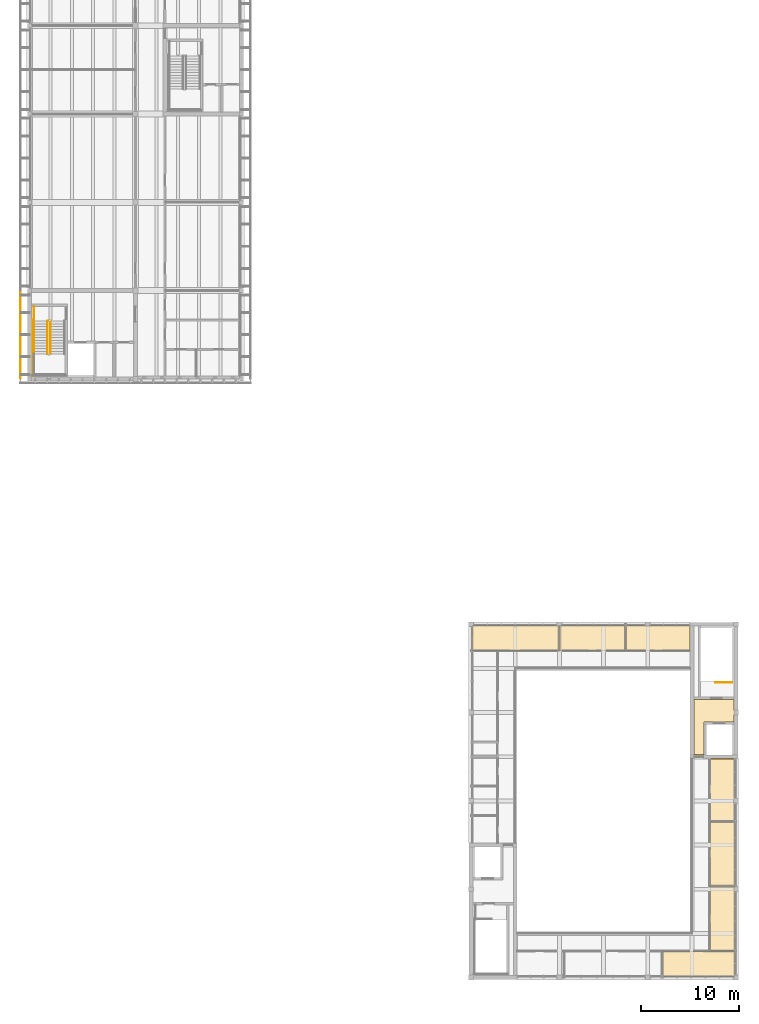
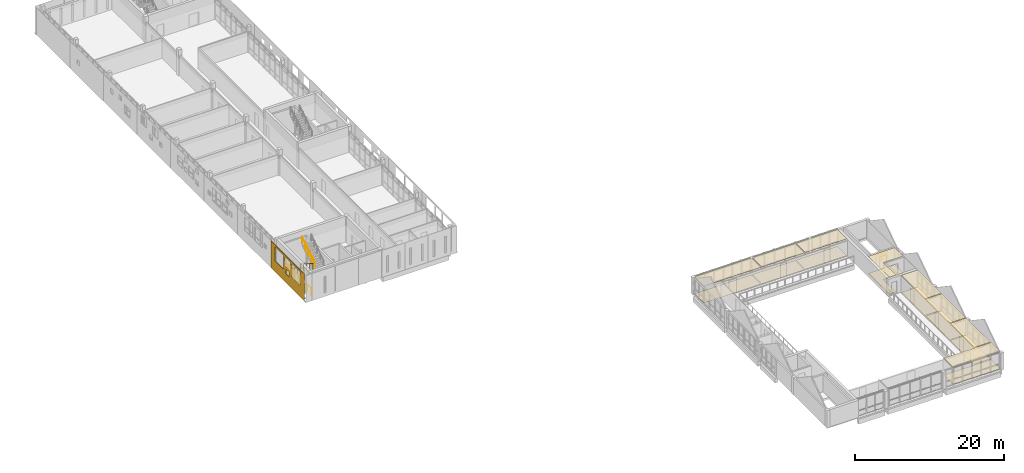
# One storey, part 42 of 50: 17 coverings, 6 railings.
"""IFC4 building model written with IfcOpenShell, lengths in metres."""

from ifc_helpers import new_model, si_unit, direction, frame, origin, origin_2d, place, context, subcontext, project, spatial, polyline, circle, outline, extrude, source, transform, mapped, material, layer, layer_set, type_object, element, save


model = new_model("IFC4")

# Units and contexts
model_context = context("Model", 3, precision=1e-05, world=origin(), true_north=direction((0.0, 1.0)))
body_context = subcontext(model_context, "Body", "Model", "MODEL_VIEW")
ifc_project = project(units=[si_unit("LENGTHUNIT", "METRE"), si_unit("AREAUNIT", "SQUARE_METRE"), si_unit("VOLUMEUNIT", "CUBIC_METRE"), si_unit("PLANEANGLEUNIT", "RADIAN"), si_unit("MASSUNIT", "GRAM", prefix="KILO")], contexts=[model_context])

# Site, building, storey
site_placement = place(None, origin())
site = spatial("IfcSite", under=ifc_project, at=site_placement, CompositionType="ELEMENT")
building_placement = place(site_placement, origin())
building = spatial("IfcBuilding", under=site, at=building_placement, Name="Merrow Basin Faculty of Sciences", CompositionType="ELEMENT")
storey_placement = place(building_placement, frame((0.0, 0.0, 18.0)))
storey = spatial("IfcBuildingStorey", under=building, at=storey_placement, Name="L04", CompositionType="ELEMENT", Elevation=18.0)

# Coverings
ifc_material_1 = material(Name="Carpet tile floor")
ifc_layer_1 = layer(ifc_material_1, 0.02001953125)
ifc_layer_set_1 = layer_set([ifc_layer_1], Name="Carpet tile floor")
covering_type_1 = type_object("IfcCoveringType", Name="Carpet tile floor", PredefinedType="FLOORING", material=ifc_layer_set_1)
covering_1_placement = place(storey_placement, origin())
element("IfcCovering", 1, at=covering_1_placement, inside=storey, type_object=covering_type_1, Name="Floor finish L04-A-009", PredefinedType="FLOORING", context=body_context, shape_type="SweptSolid", body=[
    extrude(outline(polyline([(71.889892578125, 0.110107421875), (64.56005859375, 0.110107421875), (64.56005859375, 2.639892578125), (71.889892578125, 2.639892578125), (71.889892578125, 0.110107421875)])), origin(), (0.0, 0.0, 1.0), 0.02001953125),
])
covering_2_placement = place(storey_placement, origin())
element("IfcCovering", 2, at=covering_2_placement, inside=storey, type_object=covering_type_1, Name="Floor finish L04-A-010", PredefinedType="FLOORING", context=body_context, shape_type="SweptSolid", body=[
    extrude(outline(polyline([(71.889892578125, 2.760009765625), (69.360107421875, 2.760009765625), (69.360107421875, 9.239990234375), (71.889892578125, 9.239990234375), (71.889892578125, 2.760009765625)])), origin(), (0.0, 0.0, 1.0), 0.02001953125),
])
covering_3_placement = place(storey_placement, origin())
element("IfcCovering", 3, at=covering_3_placement, inside=storey, type_object=covering_type_1, Name="Floor finish L04-A-011", PredefinedType="FLOORING", context=body_context, shape_type="SweptSolid", body=[
    extrude(outline(polyline([(71.889892578125, 9.360107421875), (69.360107421875, 9.360107421875), (69.360107421875, 15.840087890625), (71.889892578125, 15.840087890625), (71.889892578125, 9.360107421875)])), origin(), (0.0, 0.0, 1.0), 0.02001953125),
])
covering_4_placement = place(storey_placement, origin())
element("IfcCovering", 4, at=covering_4_placement, inside=storey, type_object=covering_type_1, Name="Floor finish L04-A-012", PredefinedType="FLOORING", context=body_context, shape_type="SweptSolid", body=[
    extrude(outline(polyline([(71.889892578125, 15.9599609375), (69.360107421875, 15.9599609375), (69.360107421875, 22.2900390625), (71.889892578125, 22.2900390625), (71.889892578125, 15.9599609375)])), origin(), (0.0, 0.0, 1.0), 0.02001953125),
])
covering_5_placement = place(storey_placement, origin())
element("IfcCovering", 5, at=covering_5_placement, inside=storey, type_object=covering_type_1, Name="Floor finish L04-A-013", PredefinedType="FLOORING", context=body_context, shape_type="SweptSolid", body=[
    extrude(outline(polyline([(45.110107421875, 35.889892578125), (53.989990234375, 35.889892578125), (53.989990234375, 35.760009765625), (53.93994140625, 35.760009765625), (53.93994140625, 33.360107421875), (45.110107421875, 33.360107421875), (45.110107421875, 35.889892578125)])), origin(), (0.0, 0.0, 1.0), 0.02001953125),
])
covering_6_placement = place(storey_placement, origin())
element("IfcCovering", 6, at=covering_6_placement, inside=storey, type_object=covering_type_1, Name="Floor finish L04-A-014", PredefinedType="FLOORING", context=body_context, shape_type="SweptSolid", body=[
    extrude(outline(polyline([(54.010009765625, 35.889892578125), (60.68994140625, 35.889892578125), (60.68994140625, 33.360107421875), (54.06005859375, 33.360107421875), (54.06005859375, 35.760009765625), (54.010009765625, 35.760009765625), (54.010009765625, 35.889892578125)])), origin(), (0.0, 0.0, 1.0), 0.02001953125),
])
covering_7_placement = place(storey_placement, origin())
element("IfcCovering", 7, at=covering_7_placement, inside=storey, type_object=covering_type_1, Name="Floor finish L04-A-015", PredefinedType="FLOORING", context=body_context, shape_type="SweptSolid", body=[
    extrude(outline(polyline([(67.2900390625, 35.889892578125), (67.2900390625, 33.360107421875), (60.81005859375, 33.360107421875), (60.81005859375, 35.889892578125), (67.2900390625, 35.889892578125)])), origin(), (0.0, 0.0, 1.0), 0.02001953125),
])
ifc_material_2 = material(Name="Polished terrazzo floor")
ifc_layer_2 = layer(ifc_material_2, 0.02001953125)
ifc_layer_set_2 = layer_set([ifc_layer_2], Name="Polished terrazzo floor")
covering_type_2 = type_object("IfcCoveringType", Name="Polished terrazzo floor", PredefinedType="FLOORING", material=ifc_layer_set_2)
covering_8_placement = place(storey_placement, origin())
element("IfcCovering", 8, at=covering_8_placement, inside=storey, type_object=covering_type_2, Name="Floor finish L04-A-006", PredefinedType="FLOORING", context=body_context, shape_type="SweptSolid", body=[
    extrude(outline(polyline([(71.889892578125, 26.760009765625), (71.7900390625, 26.760009765625), (71.7900390625, 26.06005859375), (68.739990234375, 26.06005859375), (68.739990234375, 22.7099609375), (67.7099609375, 22.7099609375), (67.7099609375, 28.340087890625), (71.7900390625, 28.340087890625), (71.7900390625, 27.239990234375), (71.889892578125, 27.239990234375), (71.889892578125, 26.760009765625)])), origin(), (0.0, 0.0, 1.0), 0.02001953125),
])

# Railings
ifc_material_3 = material(Name="Steel ASTM A36", Category="steel")
railing_type_1 = type_object("IfcRailingType", Name="Steel guard 1100", PredefinedType="GUARDRAIL", material=ifc_material_3)
railing_1_placement = place(storey_placement, frame((1.85009765625, 66.89990234375, 0.173095703125)))
element("IfcRailing", 9, at=railing_1_placement, inside=storey, type_object=railing_type_1, Name="L04 ST-V4-S stair guard 1", PredefinedType="GUARDRAIL", context=body_context, shape_type="SweptSolid", body=[
    extrude(circle(Radius=0.02392578125, at=origin_2d()), frame((0.0, 0.0, 1.076171875), z_axis=(0.0, -0.850606129759, 0.525803396734), x_axis=(1.0, 0.0, 0.0)), (0.0, 0.0, 1.0), 3.949951171875),
    extrude(circle(Radius=0.02099609375, at=origin_2d()), origin(), (0.0, 0.0, 1.0), 1.052001953125),
    extrude(circle(Radius=0.02099609375, at=origin_2d()), frame((0.0, -0.83984375, 0.519287109375)), (0.0, 0.0, 1.0), 1.052001953125),
    extrude(circle(Radius=0.02099609375, at=origin_2d()), frame((0.0, -1.679931640625, 1.03857421875)), (0.0, 0.0, 1.0), 1.052001953125),
    extrude(circle(Radius=0.02099609375, at=origin_2d()), frame((0.0, -2.52001953125, 1.5576171875)), (0.0, 0.0, 1.0), 1.052001953125),
    extrude(circle(Radius=0.02099609375, at=origin_2d()), frame((0.0, -3.35986328125, 2.076904296875)), (0.0, 0.0, 1.0), 1.052001953125),
])
railing_2_placement = place(storey_placement, frame((2.14990234375, 63.5400390625, 2.423095703125)))
element("IfcRailing", 10, at=railing_2_placement, inside=storey, type_object=railing_type_1, Name="L04 ST-V4-S stair guard 5", PredefinedType="GUARDRAIL", context=body_context, shape_type="SweptSolid", body=[
    extrude(circle(Radius=0.02392578125, at=origin_2d()), frame((0.0, 0.0, 1.076171875), z_axis=(0.0, 0.850606129759, 0.525803396734), x_axis=(-1.0, 0.0, 0.0)), (0.0, 0.0, 1.0), 3.949951171875),
    extrude(circle(Radius=0.02099609375, at=origin_2d()), origin(), (0.0, 0.0, 1.0), 1.052001953125),
    extrude(circle(Radius=0.02099609375, at=origin_2d()), frame((0.0, 0.83984375, 0.519287109375)), (0.0, 0.0, 1.0), 1.052001953125),
    extrude(circle(Radius=0.02099609375, at=origin_2d()), frame((0.0, 1.679931640625, 1.03857421875)), (0.0, 0.0, 1.0), 1.052001953125),
    extrude(circle(Radius=0.02099609375, at=origin_2d()), frame((0.0, 2.52001953125, 1.5576171875)), (0.0, 0.0, 1.0), 1.052001953125),
    extrude(circle(Radius=0.02099609375, at=origin_2d()), frame((0.0, 3.35986328125, 2.076904296875)), (0.0, 0.0, 1.0), 1.052001953125),
])
railing_3_placement = place(storey_placement, frame((0.449951171875, 68.39990234375, 0.0)))
element("IfcRailing", 11, at=railing_3_placement, inside=storey, type_object=railing_type_1, Name="L04 ST-V4-S stair guard 7", PredefinedType="GUARDRAIL", context=body_context, shape_type="SweptSolid", body=[
    extrude(circle(Radius=0.02392578125, at=origin_2d()), frame((0.0, 0.0, 1.076171875), z_axis=(0.0, -1.0, 0.0), x_axis=(1.0, 0.0, 0.0)), (0.0, 0.0, 1.0), 1.5),
    extrude(circle(Radius=0.02099609375, at=origin_2d()), origin(), (0.0, 0.0, 1.0), 1.052001953125),
    extrude(circle(Radius=0.02099609375, at=origin_2d()), frame((0.0, -0.75, 0.0)), (0.0, 0.0, 1.0), 1.052001953125),
    extrude(circle(Radius=0.02099609375, at=origin_2d()), frame((0.0, -1.5, 0.0)), (0.0, 0.0, 1.0), 1.052001953125),
])
railing_4_placement = place(storey_placement, frame((0.35009765625, 67.0, 0.0)))
element("IfcRailing", 12, at=railing_4_placement, inside=storey, type_object=railing_type_1, Name="L04 ST-V4-S stair guard 8", PredefinedType="GUARDRAIL", context=body_context, shape_type="SweptSolid", body=[
    extrude(circle(Radius=0.02392578125, at=origin_2d()), frame((0.0, 0.0, 1.076171875), z_axis=(0.0, -1.0, 0.0), x_axis=(1.0, 0.0, 0.0)), (0.0, 0.0, 1.0), 5.699951171875),
    extrude(circle(Radius=0.02099609375, at=origin_2d()), origin(), (0.0, 0.0, 1.0), 1.052001953125),
    extrude(circle(Radius=0.02099609375, at=origin_2d()), frame((0.0, -1.139892578125, 0.0)), (0.0, 0.0, 1.0), 1.052001953125),
    extrude(circle(Radius=0.02099609375, at=origin_2d()), frame((0.0, -2.280029296875, 0.0)), (0.0, 0.0, 1.0), 1.052001953125),
    extrude(circle(Radius=0.02099609375, at=origin_2d()), frame((0.0, -3.419921875, 0.0)), (0.0, 0.0, 1.0), 1.052001953125),
    extrude(circle(Radius=0.02099609375, at=origin_2d()), frame((0.0, -4.56005859375, 0.0)), (0.0, 0.0, 1.0), 1.052001953125),
    extrude(circle(Radius=0.02099609375, at=origin_2d()), frame((0.0, -5.699951171875, 0.0)), (0.0, 0.0, 1.0), 1.052001953125),
])
railing_5_placement = place(storey_placement, frame((71.60009765625, 30.050048828125, 0.0)))
element("IfcRailing", 13, at=railing_5_placement, inside=storey, type_object=railing_type_1, Name="L04 ST-V3-E top well guard 1", PredefinedType="GUARDRAIL", context=body_context, shape_type="SweptSolid", body=[
    extrude(circle(Radius=0.02392578125, at=origin_2d()), frame((0.0, 0.0, 1.076171875), z_axis=(-1.0, 0.0, 0.0), x_axis=(0.0, -1.0, 0.0)), (0.0, 0.0, 1.0), 1.7001953125),
    extrude(circle(Radius=0.02099609375, at=origin_2d()), origin(), (0.0, 0.0, 1.0), 1.052001953125),
    extrude(circle(Radius=0.02099609375, at=origin_2d()), frame((-0.85009765625, 0.0, 0.0)), (0.0, 0.0, 1.0), 1.052001953125),
    extrude(circle(Radius=0.02099609375, at=origin_2d()), frame((-1.7001953125, 0.0, 0.0)), (0.0, 0.0, 1.0), 1.052001953125),
])
ifc_material_4 = material(Name="Steel ASTM A36", Category="steel")
railing_type_2 = type_object("IfcRailingType", Name="Steel handrail 900", PredefinedType="HANDRAIL", material=ifc_material_4)
railing_6_placement = place(storey_placement, frame((0.449951171875, 66.89990234375, 0.173095703125)))
element("IfcRailing", 14, at=railing_6_placement, inside=storey, type_object=railing_type_2, Name="L04 ST-V4-S stair handrail 1", PredefinedType="HANDRAIL", context=body_context, shape_type="SweptSolid", body=[
    extrude(circle(Radius=0.02392578125, at=origin_2d()), frame((0.0, 0.0, 0.8759765625), z_axis=(0.0, -0.850606129759, 0.525803396734), x_axis=(1.0, 0.0, 0.0)), (0.0, 0.0, 1.0), 3.949951171875),
    extrude(circle(Radius=0.02099609375, at=origin_2d()), origin(), (0.0, 0.0, 1.0), 0.851806640625),
    extrude(circle(Radius=0.02099609375, at=origin_2d()), frame((0.0, -0.83984375, 0.519287109375)), (0.0, 0.0, 1.0), 0.851806640625),
    extrude(circle(Radius=0.02099609375, at=origin_2d()), frame((0.0, -1.679931640625, 1.03857421875)), (0.0, 0.0, 1.0), 0.851806640625),
    extrude(circle(Radius=0.02099609375, at=origin_2d()), frame((0.0, -2.52001953125, 1.5576171875)), (0.0, 0.0, 1.0), 0.851806640625),
    extrude(circle(Radius=0.02099609375, at=origin_2d()), frame((0.0, -3.35986328125, 2.076904296875)), (0.0, 0.0, 1.0), 0.851806640625),
])

# Coverings
ifc_material_5 = material(Name="Mineral fibre ceiling tile")
ifc_layer_3 = layer(ifc_material_5, 0.050048828125)
ifc_layer_set_3 = layer_set([ifc_layer_3], Name="Suspended acoustic ceiling tile")
covering_type_3 = type_object("IfcCoveringType", Name="Suspended acoustic ceiling tile", PredefinedType="CEILING", material=ifc_layer_set_3)
covering_9_placement = place(storey_placement, frame((0.0, 0.0, 2.75)))
element("IfcCovering", 15, at=covering_9_placement, inside=storey, type_object=covering_type_3, Name="Ceiling L04-A-006", PredefinedType="CEILING", context=body_context, shape_type="SweptSolid", body=[
    extrude(outline(polyline([(71.89990234375, 26.75), (71.800048828125, 26.75), (71.800048828125, 26.050048828125), (68.75, 26.050048828125), (68.75, 22.699951171875), (67.699951171875, 22.699951171875), (67.699951171875, 28.35009765625), (71.800048828125, 28.35009765625), (71.800048828125, 27.25), (71.89990234375, 27.25), (71.89990234375, 26.75)])), origin(), (0.0, 0.0, 1.0), 0.050048828125),
])
covering_10_placement = place(storey_placement, frame((0.0, 0.0, 2.75)))
element("IfcCovering", 16, at=covering_10_placement, inside=storey, type_object=covering_type_3, Name="Ceiling L04-A-009", PredefinedType="CEILING", context=body_context, shape_type="SweptSolid", body=[
    extrude(outline(polyline([(71.89990234375, 0.10009765625), (64.550048828125, 0.10009765625), (64.550048828125, 2.64990234375), (71.89990234375, 2.64990234375), (71.89990234375, 0.10009765625)])), origin(), (0.0, 0.0, 1.0), 0.050048828125),
])
covering_11_placement = place(storey_placement, frame((0.0, 0.0, 2.75)))
element("IfcCovering", 17, at=covering_11_placement, inside=storey, type_object=covering_type_3, Name="Ceiling L04-A-010", PredefinedType="CEILING", context=body_context, shape_type="SweptSolid", body=[
    extrude(outline(polyline([(71.89990234375, 2.75), (69.35009765625, 2.75), (69.35009765625, 9.25), (71.89990234375, 9.25), (71.89990234375, 2.75)])), origin(), (0.0, 0.0, 1.0), 0.050048828125),
])
covering_12_placement = place(storey_placement, frame((0.0, 0.0, 2.75)))
element("IfcCovering", 18, at=covering_12_placement, inside=storey, type_object=covering_type_3, Name="Ceiling L04-A-011", PredefinedType="CEILING", context=body_context, shape_type="SweptSolid", body=[
    extrude(outline(polyline([(71.89990234375, 9.35009765625), (69.35009765625, 9.35009765625), (69.35009765625, 15.85009765625), (71.89990234375, 15.85009765625), (71.89990234375, 9.35009765625)])), origin(), (0.0, 0.0, 1.0), 0.050048828125),
])
covering_13_placement = place(storey_placement, frame((0.0, 0.0, 2.75)))
element("IfcCovering", 19, at=covering_13_placement, inside=storey, type_object=covering_type_3, Name="Ceiling L04-A-012", PredefinedType="CEILING", context=body_context, shape_type="SweptSolid", body=[
    extrude(outline(polyline([(71.89990234375, 15.949951171875), (69.35009765625, 15.949951171875), (69.35009765625, 22.300048828125), (71.89990234375, 22.300048828125), (71.89990234375, 15.949951171875)])), origin(), (0.0, 0.0, 1.0), 0.050048828125),
])
covering_14_placement = place(storey_placement, frame((0.0, 0.0, 2.75)))
element("IfcCovering", 20, at=covering_14_placement, inside=storey, type_object=covering_type_3, Name="Ceiling L04-A-013", PredefinedType="CEILING", context=body_context, shape_type="SweptSolid", body=[
    extrude(outline(polyline([(45.10009765625, 35.89990234375), (54.0, 35.89990234375), (54.0, 35.75), (53.949951171875, 35.75), (53.949951171875, 33.35009765625), (45.10009765625, 33.35009765625), (45.10009765625, 35.89990234375)])), origin(), (0.0, 0.0, 1.0), 0.050048828125),
])
covering_15_placement = place(storey_placement, frame((0.0, 0.0, 2.75)))
element("IfcCovering", 21, at=covering_15_placement, inside=storey, type_object=covering_type_3, Name="Ceiling L04-A-014", PredefinedType="CEILING", context=body_context, shape_type="SweptSolid", body=[
    extrude(outline(polyline([(54.0, 35.89990234375), (60.699951171875, 35.89990234375), (60.699951171875, 33.35009765625), (54.050048828125, 33.35009765625), (54.050048828125, 35.75), (54.0, 35.75), (54.0, 35.89990234375)])), origin(), (0.0, 0.0, 1.0), 0.050048828125),
])
covering_16_placement = place(storey_placement, frame((0.0, 0.0, 2.75)))
element("IfcCovering", 22, at=covering_16_placement, inside=storey, type_object=covering_type_3, Name="Ceiling L04-A-015", PredefinedType="CEILING", context=body_context, shape_type="SweptSolid", body=[
    extrude(outline(polyline([(67.300048828125, 35.89990234375), (67.300048828125, 33.35009765625), (60.800048828125, 33.35009765625), (60.800048828125, 35.89990234375), (67.300048828125, 35.89990234375)])), origin(), (0.0, 0.0, 1.0), 0.050048828125),
])
ifc_material_6 = material(Name="White powder-coated aluminium", Category="aluminium")
ifc_layer_4 = layer(ifc_material_6, 0.0400390625)
ifc_layer_set_4 = layer_set([ifc_layer_4], Name="Perforated panel 9000 x 4500")
covering_type_4 = type_object("IfcCoveringType", Name="Perforated panel 9000 x 4500", PredefinedType="CLADDING", material=ifc_layer_set_4)
shared_shape = source(origin(), body_context, "Body", "SweptSolid", [
    extrude(outline(polyline([(0.02001953125, 0.02001953125), (8.97998046875, 0.02001953125), (8.97998046875, 4.47998046875), (0.02001953125, 4.47998046875), (0.02001953125, 0.02001953125)]), holes=[polyline([(4.125, 1.5), (4.875, 1.5), (4.875, 2.25), (4.125, 2.25), (4.125, 1.5)]), polyline([(1.125, 1.875), (3.375, 1.875), (3.375, 4.125), (1.125, 4.125), (1.125, 1.875)]), polyline([(5.625, 1.875), (7.875, 1.875), (7.875, 4.125), (5.625, 4.125), (5.625, 1.875)]), polyline([(3.75, 2.625), (5.25, 2.625), (5.25, 4.125), (3.75, 4.125), (3.75, 2.625)])]), origin(), (0.0, 0.0, 1.0), 0.0400390625),
])
covering_17_placement = place(storey_placement, frame((-0.93994140625, 61.0, -0.320068359375), z_axis=(1.0, 0.0, 0.0), x_axis=(0.0, 1.0, 0.0)))
element("IfcCovering", 23, at=covering_17_placement, inside=storey, type_object=covering_type_4, Name="Perforated panel WL04-01", PredefinedType="CLADDING", context=body_context, shape_type="MappedRepresentation", body=[
    mapped(shared_shape, transform((0.0, 0.0, 0.0), scale=1.0)),
])

save(model, "model.ifc")
